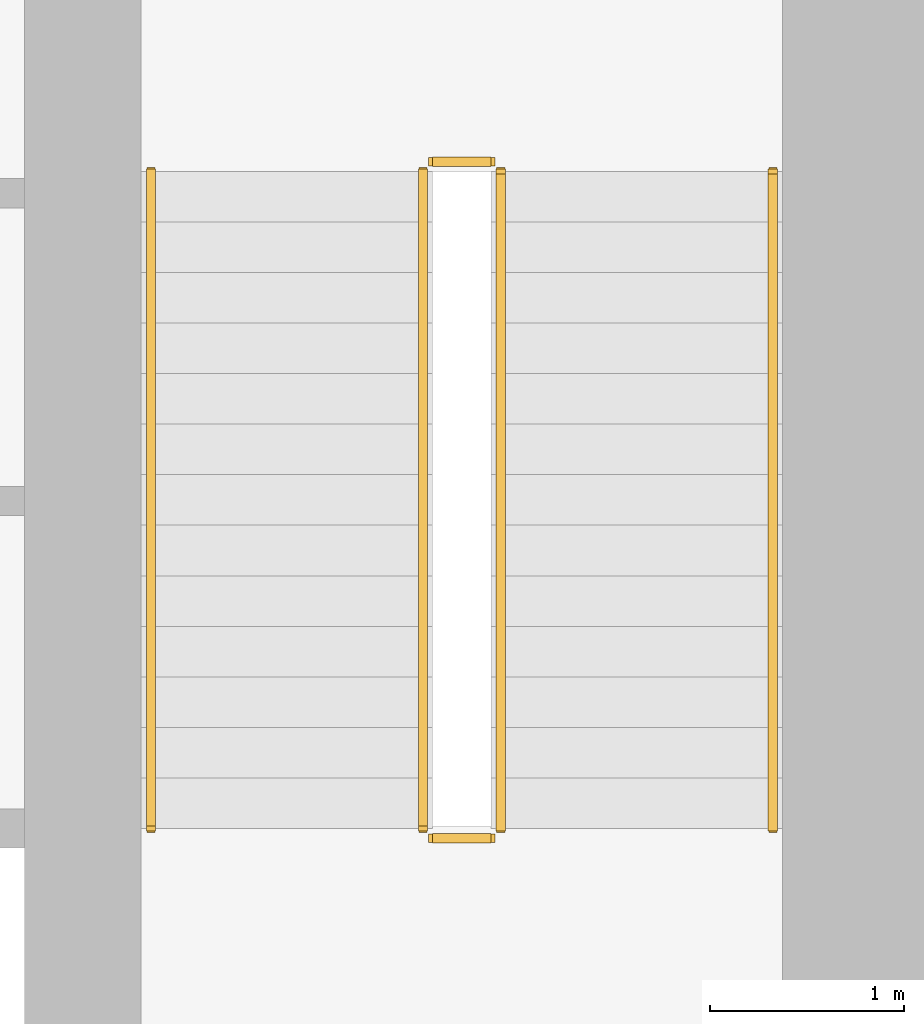
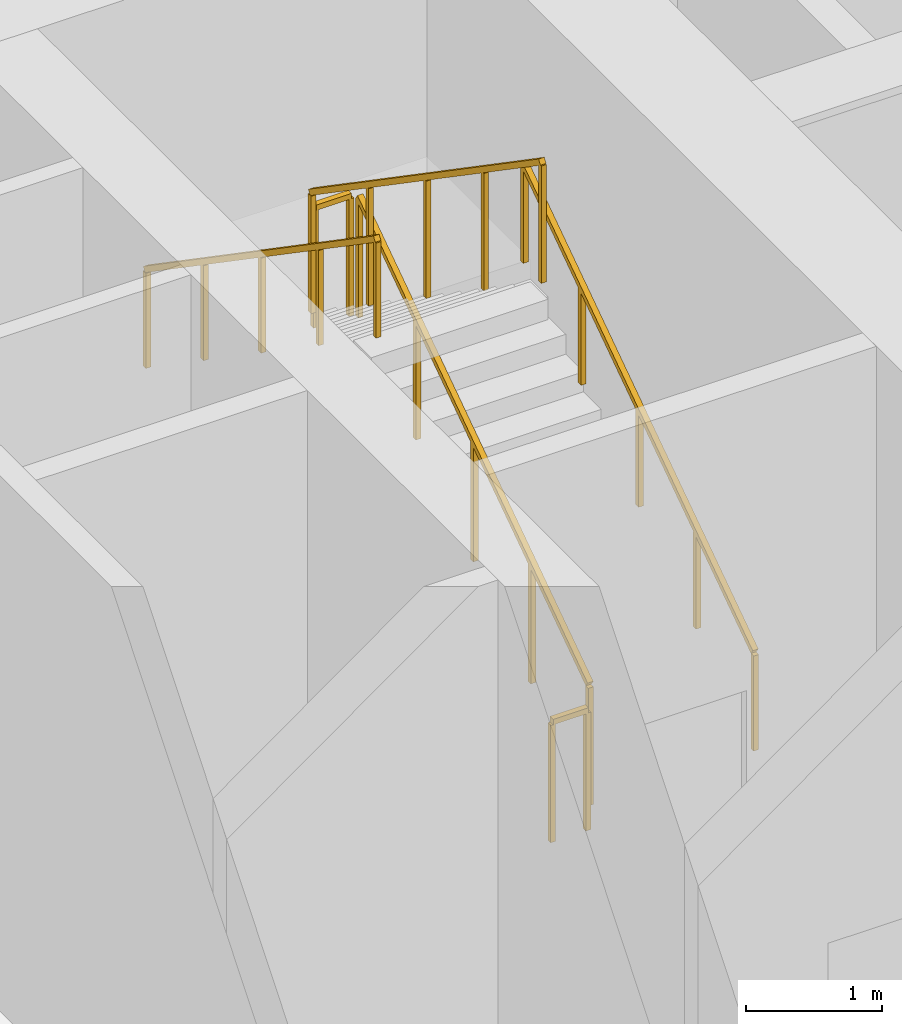
# One storey, part 8 of 9: 6 railings.
"""IFC4 building model written with IfcOpenShell, lengths in metres."""

from ifc_helpers import new_model, si_unit, direction, frame, origin, origin_2d, place, context, subcontext, project, spatial, rectangle, extrude, material, type_object, element, save


model = new_model("IFC4")

# Units and contexts
model_context = context("Model", 3, precision=1e-05, world=origin(), true_north=direction((0.0, 1.0)))
body_context = subcontext(model_context, "Body", "Model", "MODEL_VIEW")
ifc_project = project(units=[si_unit("LENGTHUNIT", "METRE"), si_unit("AREAUNIT", "SQUARE_METRE"), si_unit("VOLUMEUNIT", "CUBIC_METRE"), si_unit("PLANEANGLEUNIT", "RADIAN"), si_unit("MASSUNIT", "GRAM", prefix="KILO")], contexts=[model_context])

# Site, building, storey
site_placement = place(None, origin())
site = spatial("IfcSite", under=ifc_project, at=site_placement, CompositionType="ELEMENT")
building_placement = place(site_placement, origin())
building = spatial("IfcBuilding", under=site, at=building_placement, Name="Rattan Terrace Tower", CompositionType="ELEMENT")
storey_placement = place(building_placement, frame((0.0, 0.0, 115.699951171875)))
storey = spatial("IfcBuildingStorey", under=building, at=storey_placement, Name="L26", CompositionType="ELEMENT", Elevation=115.699951171875)

# Railings
ifc_material_1 = material(Name="Powder-coated steel guard", Category="steel")
railing_type_1 = type_object("IfcRailingType", Name="Core stair guard", PredefinedType="GUARDRAIL", material=ifc_material_1)
railing_1_placement = place(storey_placement, frame((15.64990234375, 1.699951171875, 0.1787109375)))
element("IfcRailing", 1, at=railing_1_placement, inside=storey, type_object=railing_type_1, Name="L26 S2 stair guard 1", PredefinedType="GUARDRAIL", context=body_context, shape_type="SweptSolid", body=[
    extrude(rectangle(XDim=0.048095703125, YDim=0.048095703125, at=origin_2d()), frame((0.0, 0.0, 1.076171875), z_axis=(0.0, 0.824331935682, 0.566106756552), x_axis=(-1.0, 0.0, 0.0)), (0.0, 0.0, 1.0), 4.100341796875),
    extrude(rectangle(XDim=0.0419921875, YDim=0.0419921875, at=origin_2d()), origin(), (0.0, 0.0, 1.0), 1.052001953125),
    extrude(rectangle(XDim=0.0419921875, YDim=0.0419921875, at=origin_2d()), frame((0.0, 0.844970703125, 0.580322265625)), (0.0, 0.0, 1.0), 1.052001953125),
    extrude(rectangle(XDim=0.0419921875, YDim=0.0419921875, at=origin_2d()), frame((0.0, 1.68994140625, 1.16064453125)), (0.0, 0.0, 1.0), 1.052001953125),
    extrude(rectangle(XDim=0.0419921875, YDim=0.0419921875, at=origin_2d()), frame((0.0, 2.53515625, 1.740966796875)), (0.0, 0.0, 1.0), 1.052001953125),
    extrude(rectangle(XDim=0.0419921875, YDim=0.0419921875, at=origin_2d()), frame((0.0, 3.380126953125, 2.3212890625)), (0.0, 0.0, 1.0), 1.052001953125),
])
railing_2_placement = place(storey_placement, frame((15.60009765625, 5.1298828125, 2.5)))
element("IfcRailing", 2, at=railing_2_placement, inside=storey, type_object=railing_type_1, Name="L26 S2 stair guard 2", PredefinedType="GUARDRAIL", context=body_context, shape_type="SweptSolid", body=[
    extrude(rectangle(XDim=0.048095703125, YDim=0.048095703125, at=origin_2d()), frame((0.0, 0.0, 1.076171875), z_axis=(-1.0, 0.0, 0.0), x_axis=(0.0, -1.0, 0.0)), (0.0, 0.0, 1.0), 0.300048828125),
    extrude(rectangle(XDim=0.0419921875, YDim=0.0419921875, at=origin_2d()), origin(), (0.0, 0.0, 1.0), 1.052001953125),
    extrude(rectangle(XDim=0.0419921875, YDim=0.0419921875, at=origin_2d()), frame((-0.300048828125, 0.0, 0.0)), (0.0, 0.0, 1.0), 1.052001953125),
])
railing_3_placement = place(storey_placement, frame((15.25, 5.080078125, 2.6787109375)))
element("IfcRailing", 3, at=railing_3_placement, inside=storey, type_object=railing_type_1, Name="L26 S2 stair guard 3", PredefinedType="GUARDRAIL", context=body_context, shape_type="SweptSolid", body=[
    extrude(rectangle(XDim=0.048095703125, YDim=0.048095703125, at=origin_2d()), frame((0.0, 0.0, 1.076171875), z_axis=(0.0, -0.824331935682, 0.566106756552), x_axis=(1.0, 0.0, 0.0)), (0.0, 0.0, 1.0), 4.100341796875),
    extrude(rectangle(XDim=0.0419921875, YDim=0.0419921875, at=origin_2d()), origin(), (0.0, 0.0, 1.0), 1.052001953125),
    extrude(rectangle(XDim=0.0419921875, YDim=0.0419921875, at=origin_2d()), frame((0.0, -0.844970703125, 0.580322265625)), (0.0, 0.0, 1.0), 1.052001953125),
    extrude(rectangle(XDim=0.0419921875, YDim=0.0419921875, at=origin_2d()), frame((0.0, -1.68994140625, 1.16064453125)), (0.0, 0.0, 1.0), 1.052001953125),
    extrude(rectangle(XDim=0.0419921875, YDim=0.0419921875, at=origin_2d()), frame((0.0, -2.53515625, 1.740966796875)), (0.0, 0.0, 1.0), 1.052001953125),
    extrude(rectangle(XDim=0.0419921875, YDim=0.0419921875, at=origin_2d()), frame((0.0, -3.380126953125, 2.3212890625)), (0.0, 0.0, 1.0), 1.052001953125),
])
railing_4_placement = place(storey_placement, frame((15.60009765625, 1.64990234375, 0.0)))
element("IfcRailing", 4, at=railing_4_placement, inside=storey, type_object=railing_type_1, Name="L26 S2 stair guard 4", PredefinedType="GUARDRAIL", context=body_context, shape_type="SweptSolid", body=[
    extrude(rectangle(XDim=0.048095703125, YDim=0.048095703125, at=origin_2d()), frame((0.0, 0.0, 1.076171875), z_axis=(-1.0, 0.0, 0.0), x_axis=(0.0, -1.0, 0.0)), (0.0, 0.0, 1.0), 0.300048828125),
    extrude(rectangle(XDim=0.0419921875, YDim=0.0419921875, at=origin_2d()), origin(), (0.0, 0.0, 1.0), 1.052001953125),
    extrude(rectangle(XDim=0.0419921875, YDim=0.0419921875, at=origin_2d()), frame((-0.300048828125, 0.0, 0.0)), (0.0, 0.0, 1.0), 1.052001953125),
])
ifc_material_2 = material(Name="Powder-coated steel handrail", Category="steel")
railing_type_2 = type_object("IfcRailingType", Name="Core stair handrail", PredefinedType="HANDRAIL", material=ifc_material_2)
railing_5_placement = place(storey_placement, frame((17.050048828125, 1.699951171875, 0.1787109375)))
element("IfcRailing", 5, at=railing_5_placement, inside=storey, type_object=railing_type_2, Name="L26 S2 stair handrail 1", PredefinedType="HANDRAIL", context=body_context, shape_type="SweptSolid", body=[
    extrude(rectangle(XDim=0.048095703125, YDim=0.048095703125, at=origin_2d()), frame((0.0, 0.0, 0.8759765625), z_axis=(0.0, 0.824331935682, 0.566106756552), x_axis=(-1.0, 0.0, 0.0)), (0.0, 0.0, 1.0), 4.100341796875),
    extrude(rectangle(XDim=0.0419921875, YDim=0.0419921875, at=origin_2d()), origin(), (0.0, 0.0, 1.0), 0.851806640625),
    extrude(rectangle(XDim=0.0419921875, YDim=0.0419921875, at=origin_2d()), frame((0.0, 0.844970703125, 0.580322265625)), (0.0, 0.0, 1.0), 0.851806640625),
    extrude(rectangle(XDim=0.0419921875, YDim=0.0419921875, at=origin_2d()), frame((0.0, 1.68994140625, 1.16064453125)), (0.0, 0.0, 1.0), 0.851806640625),
    extrude(rectangle(XDim=0.0419921875, YDim=0.0419921875, at=origin_2d()), frame((0.0, 2.53515625, 1.740966796875)), (0.0, 0.0, 1.0), 0.851806640625),
    extrude(rectangle(XDim=0.0419921875, YDim=0.0419921875, at=origin_2d()), frame((0.0, 3.380126953125, 2.3212890625)), (0.0, 0.0, 1.0), 0.851806640625),
])
railing_6_placement = place(storey_placement, frame((13.85009765625, 5.080078125, 2.6787109375)))
element("IfcRailing", 6, at=railing_6_placement, inside=storey, type_object=railing_type_2, Name="L26 S2 stair handrail 2", PredefinedType="HANDRAIL", context=body_context, shape_type="SweptSolid", body=[
    extrude(rectangle(XDim=0.048095703125, YDim=0.048095703125, at=origin_2d()), frame((0.0, 0.0, 0.8759765625), z_axis=(0.0, -0.824331935682, 0.566106756552), x_axis=(1.0, 0.0, 0.0)), (0.0, 0.0, 1.0), 4.100341796875),
    extrude(rectangle(XDim=0.0419921875, YDim=0.0419921875, at=origin_2d()), origin(), (0.0, 0.0, 1.0), 0.851806640625),
    extrude(rectangle(XDim=0.0419921875, YDim=0.0419921875, at=origin_2d()), frame((0.0, -0.844970703125, 0.580322265625)), (0.0, 0.0, 1.0), 0.851806640625),
    extrude(rectangle(XDim=0.0419921875, YDim=0.0419921875, at=origin_2d()), frame((0.0, -1.68994140625, 1.16064453125)), (0.0, 0.0, 1.0), 0.851806640625),
    extrude(rectangle(XDim=0.0419921875, YDim=0.0419921875, at=origin_2d()), frame((0.0, -2.53515625, 1.740966796875)), (0.0, 0.0, 1.0), 0.851806640625),
    extrude(rectangle(XDim=0.0419921875, YDim=0.0419921875, at=origin_2d()), frame((0.0, -3.380126953125, 2.3212890625)), (0.0, 0.0, 1.0), 0.851806640625),
])

save(model, "model.ifc")
